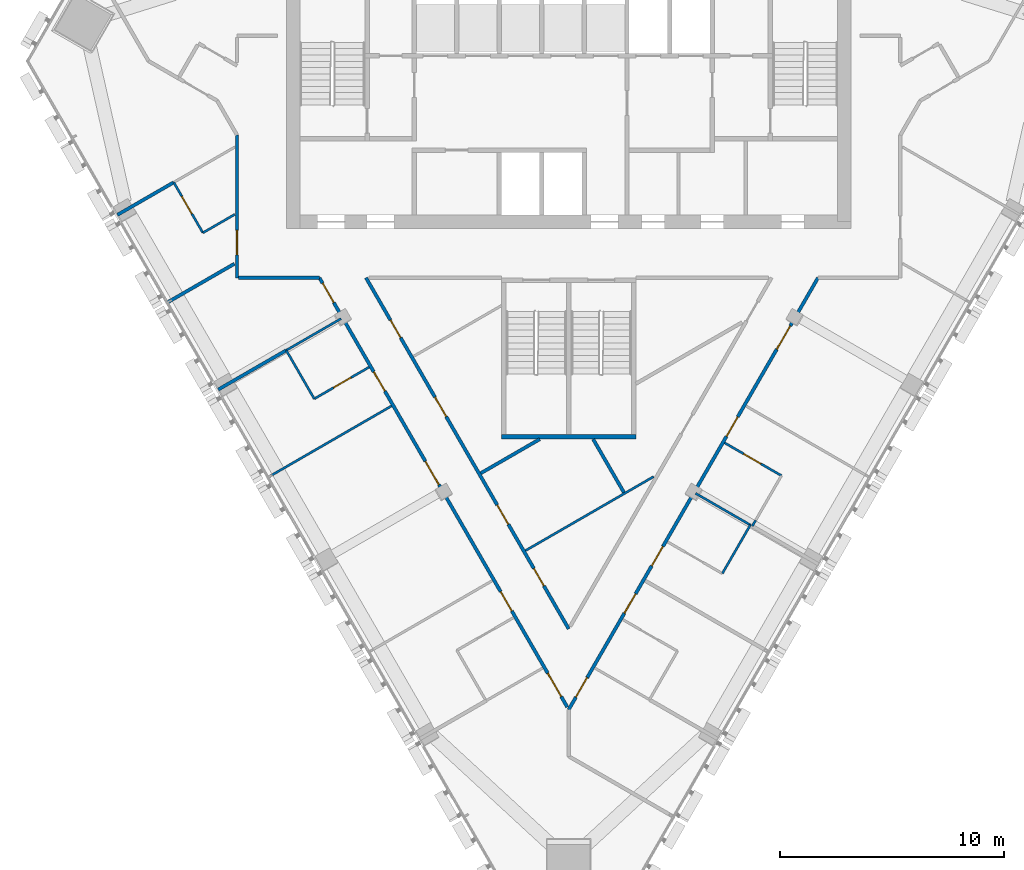
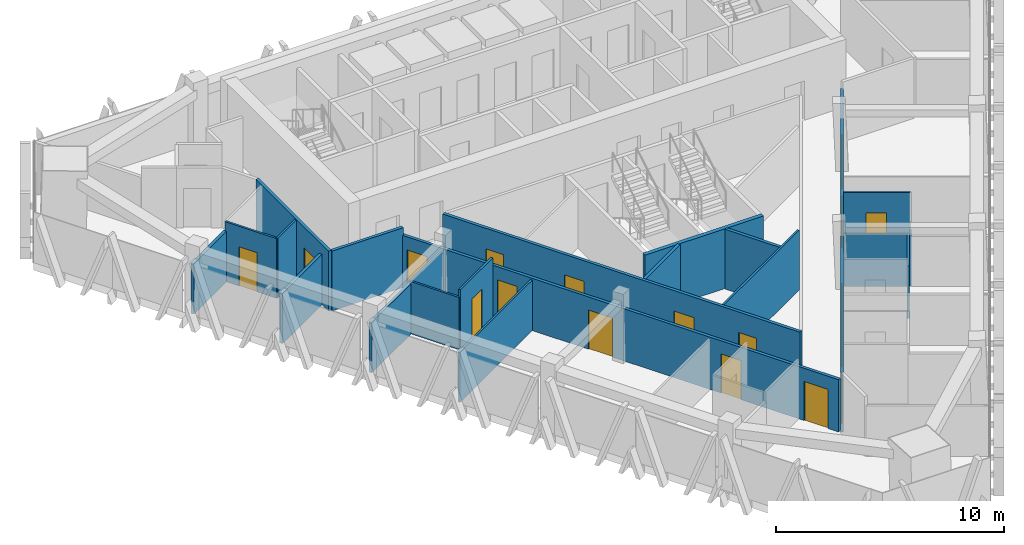
# One storey, part 8 of 14: 22 walls, 18 doors, 18 openings.
"""IFC4 building model written with IfcOpenShell, lengths in metres."""

from ifc_helpers import new_model, si_unit, direction, frame, frame_2d, origin, place, context, subcontext, project, spatial, rectangle, extrude, material, layer, layer_set, type_object, element, fill, save


model = new_model("IFC4")

# Units and contexts
model_context = context("Model", 3, precision=1e-05, world=origin(), true_north=direction((0.0, 1.0)))
body_context = subcontext(model_context, "Body", "Model", "MODEL_VIEW")
ifc_project = project(units=[si_unit("LENGTHUNIT", "METRE"), si_unit("AREAUNIT", "SQUARE_METRE"), si_unit("VOLUMEUNIT", "CUBIC_METRE"), si_unit("PLANEANGLEUNIT", "RADIAN"), si_unit("MASSUNIT", "GRAM", prefix="KILO")], contexts=[model_context])

# Site, building, storey
site_placement = place(None, origin())
site = spatial("IfcSite", under=ifc_project, at=site_placement, CompositionType="ELEMENT")
building_placement = place(site_placement, origin())
building = spatial("IfcBuilding", under=site, at=building_placement, Name="Altiplano Prism Tower", CompositionType="ELEMENT")
storey_placement = place(building_placement, frame((0.0, 0.0, 239.199951171875)))
storey = spatial("IfcBuildingStorey", under=building, at=storey_placement, Name="L61", CompositionType="ELEMENT", Elevation=239.199951171875)

# Wall
ifc_material_1 = material(Name="Plasterboard on steel stud", Category="steel")
ifc_layer_1 = layer(ifc_material_1, 0.10009765625)
ifc_layer_set_1 = layer_set([ifc_layer_1], Name="Plasterboard on steel stud")
wall_type_1 = type_object("IfcWallType", Name="Partition 100 unit", PredefinedType="PARTITIONING", material=ifc_layer_set_1)
wall_1_placement = place(storey_placement, frame((70.10009765625, 93.427978515625, 0.0), z_axis=(0.0, 0.0, 1.0), x_axis=(-0.866059450854, -0.499941024108, 0.0)))
element("IfcWall", 1, at=wall_1_placement, inside=storey, type_object=wall_type_1, Name="Partition P02 L61 031", PredefinedType="PARTITIONING", context=body_context, shape_type="SweptSolid", body=[
    extrude(rectangle(XDim=1.643798828125, YDim=0.10009765625, at=frame_2d((0.82177734375, 0.0))), origin(), (0.0, 0.0, 1.0), 3.199951171875),
])

# Wall, opening, door
wall_2_placement = place(storey_placement, frame((68.676513671875, 92.606201171875, 0.0), z_axis=(0.0, 0.0, 1.0), x_axis=(-0.500006934395, 0.866021400173, 0.0)))
wall_2 = element("IfcWall", 2, at=wall_2_placement, inside=storey, type_object=wall_type_1, Name="Partition P02 L61 032", PredefinedType="PARTITIONING", context=body_context, shape_type="SweptSolid", body=[
    extrude(rectangle(XDim=2.60009765625, YDim=0.10009765625, at=frame_2d((1.300048828125, 0.0))), origin(), (0.0, 0.0, 1.0), 3.199951171875),
])
opening_1_placement = place(wall_2_placement, frame((0.97998046875, 0.0, 0.0)))
opening_1 = element("IfcOpeningElement", 3, at=opening_1_placement, cuts=wall_2, Name="Opening D1997", PredefinedType="OPENING", context=body_context, shape_type="SweptSolid", body=[
    extrude(rectangle(XDim=0.89990234375, YDim=2.10009765625, at=frame_2d((0.449951171875, 1.050048828125))), frame((0.0, 0.060546875, 0.0), z_axis=(0.0, -1.0, 0.0), x_axis=(1.0, 0.0, 0.0)), (0.0, 0.0, 1.0), 0.12109375),
])
ifc_material_2 = material(Name="Timber", Category="wood")
door_type_1 = type_object("IfcDoorType", Name="Accessible ensuite door 900 x 2100", OperationType="NOTDEFINED", PredefinedType="NOTDEFINED", material=ifc_material_2)
door_1_placement = place(opening_1_placement, origin())
door_1 = element("IfcDoor", 4, at=door_1_placement, inside=storey, type_object=door_type_1, Name="Door D1997", OperationType="SINGLE_SWING_LEFT", OverallHeight=2.10009765625, OverallWidth=0.89990234375, PredefinedType="NOTDEFINED", context=body_context, shape_type="SweptSolid", body=[
    extrude(rectangle(XDim=0.89990234375, YDim=2.10009765625, at=frame_2d((0.449951171875, 1.050048828125))), frame((0.0, 0.02490234375, 0.0), z_axis=(0.0, -1.0, 0.0), x_axis=(1.0, 0.0, 0.0)), (0.0, 0.0, 1.0), 0.050048828125),
])
fill(opening_1, door_1)

wall_3_placement = place(storey_placement, frame((76.092529296875, 86.611083984375, 0.0), z_axis=(0.0, 0.0, 1.0), x_axis=(-0.866011447264, -0.500024172624, 0.0)))
wall_3 = element("IfcWall", 5, at=wall_3_placement, inside=storey, type_object=wall_type_1, Name="Partition P02 L61 036", PredefinedType="PARTITIONING", context=body_context, shape_type="SweptSolid", body=[
    extrude(rectangle(XDim=2.824951171875, YDim=0.10009765625, at=frame_2d((1.41259765625, 0.0))), origin(), (0.0, 0.0, 1.0), 3.199951171875),
])
opening_2_placement = place(wall_3_placement, frame((0.925048828125, 0.0, 0.0)))
opening_2 = element("IfcOpeningElement", 6, at=opening_2_placement, cuts=wall_3, Name="Opening D2000", PredefinedType="OPENING", context=body_context, shape_type="SweptSolid", body=[
    extrude(rectangle(XDim=0.89990234375, YDim=2.10009765625, at=frame_2d((0.449951171875, 1.050048828125))), frame((0.0, 0.060546875, 0.0), z_axis=(0.0, -1.0, 0.0), x_axis=(1.0, 0.0, 0.0)), (0.0, 0.0, 1.0), 0.12109375),
])
door_type_2 = type_object("IfcDoorType", Name="Ensuite door 900 x 2100", OperationType="NOTDEFINED", PredefinedType="NOTDEFINED", material=ifc_material_2)
door_2_placement = place(opening_2_placement, origin())
door_2 = element("IfcDoor", 7, at=door_2_placement, inside=storey, type_object=door_type_2, Name="Door D2000", OperationType="SINGLE_SWING_RIGHT", OverallHeight=2.10009765625, OverallWidth=0.89990234375, PredefinedType="NOTDEFINED", context=body_context, shape_type="SweptSolid", body=[
    extrude(rectangle(XDim=0.89990234375, YDim=2.10009765625, at=frame_2d((0.449951171875, 1.050048828125))), frame((0.0, 0.02490234375, 0.0), z_axis=(0.0, -1.0, 0.0), x_axis=(1.0, 0.0, 0.0)), (0.0, 0.0, 1.0), 0.050048828125),
])
fill(opening_2, door_2)

# Walls
for number, where, z_axis, x_axis, name in (
    (8, (73.64599609375, 85.198486328125, 0.0), (0.0, 0.0, 1.0), (-0.500004234368, 0.866022959057, 0.0), "Partition P02 L61 037"),
    (9, (93.10400390625, 79.5693359375, 0.0), (0.0, 0.0, 1.0), (-0.500004234368, -0.866022959057, 0.0), "Partition P02 L61 051"),
):
    element("IfcWall", number, at=place(storey_placement, frame(where, z_axis=z_axis, x_axis=x_axis)), inside=storey, type_object=wall_type_1, Name=name, PredefinedType="PARTITIONING", context=body_context, shape_type="SweptSolid", body=[
        extrude(rectangle(XDim=2.5, YDim=0.10009765625, at=frame_2d((1.25, 0.0))), origin(), (0.0, 0.0, 1.0), 2.800048828125),
    ])

# Wall, opening, door
wall_4_placement = place(storey_placement, frame((91.957275390625, 83.233642578125, 0.0), z_axis=(0.0, 0.0, 1.0), x_axis=(0.86601045545, -0.500025890382, 0.0)))
wall_4 = element("IfcWall", 10, at=wall_4_placement, inside=storey, type_object=wall_type_1, Name="Partition P02 L61 055", PredefinedType="PARTITIONING", context=body_context, shape_type="SweptSolid", body=[
    extrude(rectangle(XDim=2.925048828125, YDim=0.10009765625, at=frame_2d((1.46240234375, 0.0))), origin(), (0.0, 0.0, 1.0), 3.199951171875),
])
opening_3_placement = place(wall_4_placement, frame((0.97509765625, 0.0, 0.0)))
opening_3 = element("IfcOpeningElement", 11, at=opening_3_placement, cuts=wall_4, Name="Opening D2011", PredefinedType="OPENING", context=body_context, shape_type="SweptSolid", body=[
    extrude(rectangle(XDim=0.89990234375, YDim=2.10009765625, at=frame_2d((0.449951171875, 1.050048828125))), frame((0.0, 0.060546875, 0.0), z_axis=(0.0, -1.0, 0.0), x_axis=(1.0, 0.0, 0.0)), (0.0, 0.0, 1.0), 0.12109375),
])
door_3_placement = place(opening_3_placement, origin())
door_3 = element("IfcDoor", 12, at=door_3_placement, inside=storey, type_object=door_type_2, Name="Door D2011", OperationType="SINGLE_SWING_RIGHT", OverallHeight=2.10009765625, OverallWidth=0.89990234375, PredefinedType="NOTDEFINED", context=body_context, shape_type="SweptSolid", body=[
    extrude(rectangle(XDim=0.89990234375, YDim=2.10009765625, at=frame_2d((0.449951171875, 1.050048828125))), frame((0.0, 0.02490234375, 0.0), z_axis=(0.0, -1.0, 0.0), x_axis=(1.0, 0.0, 0.0)), (0.0, 0.0, 1.0), 0.050048828125),
])
fill(opening_3, door_3)

# Walls
wall_5_placement = place(storey_placement, frame((93.340576171875, 79.779296875, 0.0), z_axis=(0.0, 0.0, 1.0), x_axis=(-0.500074377092, -0.865982457891, 0.0)))
element("IfcWall", 13, at=wall_5_placement, inside=storey, type_object=wall_type_1, Name="Partition P02 L61 057", PredefinedType="PARTITIONING", context=body_context, shape_type="SweptSolid", body=[
    extrude(rectangle(XDim=0.30029296875, YDim=0.10009765625, at=frame_2d((0.150146484375, 0.0))), origin(), (0.0, 0.0, 1.0), 2.800048828125),
])
ifc_layer_2 = layer(ifc_material_1, 0.10009765625)
ifc_layer_set_2 = layer_set([ifc_layer_2], Name="Plasterboard on steel stud")
wall_type_2 = type_object("IfcWallType", Name="Partition 100 wet", PredefinedType="PARTITIONING", material=ifc_layer_set_2)
wall_6_placement = place(storey_placement, frame((88.78466796875, 81.724853515625, 0.0), z_axis=(0.0, 0.0, 1.0), x_axis=(-0.866026008586, -0.499998952451, 0.0)))
element("IfcWall", 14, at=wall_6_placement, inside=storey, type_object=wall_type_2, Name="Partition P03 L61 024", PredefinedType="PARTITIONING", context=body_context, shape_type="SweptSolid", body=[
    extrude(rectangle(XDim=6.5986328125, YDim=0.10009765625, at=frame_2d((3.29931640625, 0.0))), origin(), (0.0, 0.0, 1.0), 3.199951171875),
])
wall_7_placement = place(storey_placement, frame((72.39599609375, 87.363525390625, 0.0), z_axis=(0.0, 0.0, 1.0), x_axis=(0.866011447264, 0.500024172624, 0.0)))
element("IfcWall", 15, at=wall_7_placement, inside=storey, type_object=wall_type_2, Name="Partition P03 L61 035", PredefinedType="PARTITIONING", context=body_context, shape_type="SweptSolid", body=[
    extrude(rectangle(XDim=2.824951171875, YDim=0.10009765625, at=frame_2d((1.41259765625, 0.0))), origin(), (0.0, 0.0, 1.0), 2.800048828125),
])
wall_8_placement = place(storey_placement, frame((71.597412109375, 81.706298828125, 0.0), z_axis=(0.0, 0.0, 1.0), x_axis=(0.866025401434, 0.500000004071, 0.0)))
element("IfcWall", 16, at=wall_8_placement, inside=storey, type_object=wall_type_2, Name="Partition P03 L61 038", PredefinedType="PARTITIONING", context=body_context, shape_type="SweptSolid", body=[
    extrude(rectangle(XDim=6.34521484375, YDim=0.10009765625, at=frame_2d((3.172607421875, 0.0))), origin(), (0.0, 0.0, 1.0), 2.699951171875),
])
wall_9_placement = place(storey_placement, frame((93.121337890625, 79.559326171875, 0.0), z_axis=(0.0, 0.0, 1.0), x_axis=(-0.866011243319, 0.500024525844, 0.0)))
element("IfcWall", 17, at=wall_9_placement, inside=storey, type_object=wall_type_2, Name="Partition P03 L61 054", PredefinedType="PARTITIONING", context=body_context, shape_type="SweptSolid", body=[
    extrude(rectangle(XDim=2.844970703125, YDim=0.10009765625, at=frame_2d((1.42236328125, 0.0))), origin(), (0.0, 0.0, 1.0), 2.800048828125),
])

# Wall, openings, doors
ifc_layer_3 = layer(ifc_material_1, 0.14990234375)
ifc_layer_set_3 = layer_set([ifc_layer_3], Name="Plasterboard on steel stud")
wall_type_3 = type_object("IfcWallType", Name="Partition 150 corridor", PredefinedType="PARTITIONING", material=ifc_layer_set_3)
wall_10_placement = place(storey_placement, frame((85.0, 74.93310546875, 0.0), z_axis=(0.0, 0.0, 1.0), x_axis=(-0.500002819098, 0.866023776171, 0.0)))
wall_10 = element("IfcWall", 18, at=wall_10_placement, inside=storey, type_object=wall_type_3, Name="Partition P06 L61 003", PredefinedType="PARTITIONING", context=body_context, shape_type="SweptSolid", body=[
    extrude(rectangle(XDim=18.0908203125, YDim=0.14990234375, at=frame_2d((9.04541015625, 0.0))), origin(), (0.0, 0.0, 1.0), 3.199951171875),
])
opening_4_placement = place(wall_10_placement, frame((15.010009765625, 0.0, 0.0)))
opening_4 = element("IfcOpeningElement", 19, at=opening_4_placement, cuts=wall_10, Name="Opening D1991", PredefinedType="OPENING", context=body_context, shape_type="SweptSolid", body=[
    extrude(rectangle(XDim=0.89990234375, YDim=2.10009765625, at=frame_2d((0.449951171875, 1.050048828125))), frame((0.0, 0.08544921875, 0.0), z_axis=(0.0, -1.0, 0.0), x_axis=(1.0, 0.0, 0.0)), (0.0, 0.0, 1.0), 0.1708984375),
])
opening_5_placement = place(wall_10_placement, frame((2.2099609375, 0.0, 0.0)))
opening_5 = element("IfcOpeningElement", 20, at=opening_5_placement, cuts=wall_10, Name="Opening D1992", PredefinedType="OPENING", context=body_context, shape_type="SweptSolid", body=[
    extrude(rectangle(XDim=0.89990234375, YDim=2.10009765625, at=frame_2d((0.449951171875, 1.050048828125))), frame((0.0, 0.08544921875, 0.0), z_axis=(0.0, -1.0, 0.0), x_axis=(1.0, 0.0, 0.0)), (0.0, 0.0, 1.0), 0.1708984375),
])
opening_6_placement = place(wall_10_placement, frame((5.383056640625, 0.0, 0.0)))
opening_6 = element("IfcOpeningElement", 21, at=opening_6_placement, cuts=wall_10, Name="Opening D2017", PredefinedType="OPENING", context=body_context, shape_type="SweptSolid", body=[
    extrude(rectangle(XDim=1.0, YDim=2.10009765625, at=frame_2d((0.5, 1.050048828125))), frame((0.0, 0.08544921875, 0.0), z_axis=(0.0, -1.0, 0.0), x_axis=(1.0, 0.0, 0.0)), (0.0, 0.0, 1.0), 0.1708984375),
])
opening_7_placement = place(wall_10_placement, frame((10.93505859375, 0.0, 0.0)))
opening_7 = element("IfcOpeningElement", 22, at=opening_7_placement, cuts=wall_10, Name="Opening D2018", PredefinedType="OPENING", context=body_context, shape_type="SweptSolid", body=[
    extrude(rectangle(XDim=1.0, YDim=2.10009765625, at=frame_2d((0.5, 1.050048828125))), frame((0.0, 0.08544921875, 0.0), z_axis=(0.0, -1.0, 0.0), x_axis=(1.0, 0.0, 0.0)), (0.0, 0.0, 1.0), 0.1708984375),
])
door_type_3 = type_object("IfcDoorType", Name="Room door 1000 x 2100", OperationType="NOTDEFINED", PredefinedType="NOTDEFINED", material=ifc_material_2)
door_4_placement = place(opening_6_placement, origin())
door_4 = element("IfcDoor", 23, at=door_4_placement, inside=storey, type_object=door_type_3, Name="Door D2017", OperationType="SINGLE_SWING_RIGHT", OverallHeight=2.10009765625, OverallWidth=1.0, PredefinedType="NOTDEFINED", context=body_context, shape_type="SweptSolid", body=[
    extrude(rectangle(XDim=1.0, YDim=2.10009765625, at=frame_2d((0.5, 1.050048828125))), frame((0.0, 0.02490234375, 0.0), z_axis=(0.0, -1.0, 0.0), x_axis=(1.0, 0.0, 0.0)), (0.0, 0.0, 1.0), 0.050048828125),
])
fill(opening_6, door_4)
door_5_placement = place(opening_7_placement, origin())
door_5 = element("IfcDoor", 24, at=door_5_placement, inside=storey, type_object=door_type_3, Name="Door D2018", OperationType="SINGLE_SWING_RIGHT", OverallHeight=2.10009765625, OverallWidth=1.0, PredefinedType="NOTDEFINED", context=body_context, shape_type="SweptSolid", body=[
    extrude(rectangle(XDim=1.0, YDim=2.10009765625, at=frame_2d((0.5, 1.050048828125))), frame((0.0, 0.02490234375, 0.0), z_axis=(0.0, -1.0, 0.0), x_axis=(1.0, 0.0, 0.0)), (0.0, 0.0, 1.0), 0.050048828125),
])
fill(opening_7, door_5)
door_type_4 = type_object("IfcDoorType", Name="Toilet door 900 x 2100", OperationType="NOTDEFINED", PredefinedType="NOTDEFINED", material=ifc_material_2)
door_6_placement = place(opening_4_placement, origin())
door_6 = element("IfcDoor", 25, at=door_6_placement, inside=storey, type_object=door_type_4, Name="Door D1991", OperationType="SINGLE_SWING_RIGHT", OverallHeight=2.10009765625, OverallWidth=0.89990234375, PredefinedType="NOTDEFINED", context=body_context, shape_type="SweptSolid", body=[
    extrude(rectangle(XDim=0.89990234375, YDim=2.10009765625, at=frame_2d((0.449951171875, 1.050048828125))), frame((0.0, 0.02490234375, 0.0), z_axis=(0.0, -1.0, 0.0), x_axis=(1.0, 0.0, 0.0)), (0.0, 0.0, 1.0), 0.050048828125),
])
fill(opening_4, door_6)
door_7_placement = place(opening_5_placement, origin())
door_7 = element("IfcDoor", 26, at=door_7_placement, inside=storey, type_object=door_type_4, Name="Door D1992", OperationType="SINGLE_SWING_RIGHT", OverallHeight=2.10009765625, OverallWidth=0.89990234375, PredefinedType="NOTDEFINED", context=body_context, shape_type="SweptSolid", body=[
    extrude(rectangle(XDim=0.89990234375, YDim=2.10009765625, at=frame_2d((0.449951171875, 1.050048828125))), frame((0.0, 0.02490234375, 0.0), z_axis=(0.0, -1.0, 0.0), x_axis=(1.0, 0.0, 0.0)), (0.0, 0.0, 1.0), 0.050048828125),
])
fill(opening_5, door_7)

# Wall, opening, door
wall_11_placement = place(storey_placement, frame((70.199951171875, 96.96728515625, 0.0), z_axis=(0.0, 0.0, 1.0), x_axis=(0.0, -1.0, 0.0)))
wall_11 = element("IfcWall", 27, at=wall_11_placement, inside=storey, type_object=wall_type_3, Name="Partition P06 L61 007", PredefinedType="PARTITIONING", context=body_context, shape_type="SweptSolid", body=[
    extrude(rectangle(XDim=6.3671875, YDim=0.14990234375, at=frame_2d((3.18359375, 0.0))), origin(), (0.0, 0.0, 1.0), 3.199951171875),
])
opening_8_placement = place(wall_11_placement, frame((4.248046875, 0.0, 0.0)))
opening_8 = element("IfcOpeningElement", 28, at=opening_8_placement, cuts=wall_11, Name="Opening D1996", PredefinedType="OPENING", context=body_context, shape_type="SweptSolid", body=[
    extrude(rectangle(XDim=1.10009765625, YDim=2.10009765625, at=frame_2d((0.550048828125, 1.050048828125))), frame((0.0, 0.08544921875, 0.0), z_axis=(0.0, -1.0, 0.0), x_axis=(1.0, 0.0, 0.0)), (0.0, 0.0, 1.0), 0.1708984375),
])
door_type_5 = type_object("IfcDoorType", Name="Accessible bedroom door 1100 x 2100", OperationType="NOTDEFINED", PredefinedType="NOTDEFINED", material=ifc_material_2)
door_8_placement = place(opening_8_placement, origin())
door_8 = element("IfcDoor", 29, at=door_8_placement, inside=storey, type_object=door_type_5, Name="Door D1996", OperationType="SINGLE_SWING_RIGHT", OverallHeight=2.10009765625, OverallWidth=1.10009765625, PredefinedType="NOTDEFINED", context=body_context, shape_type="SweptSolid", body=[
    extrude(rectangle(XDim=1.10009765625, YDim=2.10009765625, at=frame_2d((0.550048828125, 1.050048828125))), frame((0.0, 0.02490234375, 0.0), z_axis=(0.0, -1.0, 0.0), x_axis=(1.0, 0.0, 0.0)), (0.0, 0.0, 1.0), 0.050048828125),
])
fill(opening_8, door_8)

# Wall
wall_12_placement = place(storey_placement, frame((70.27490234375, 90.60009765625, 0.0), z_axis=(0.0, 0.0, 1.0), x_axis=(1.0, 0.0, 0.0)))
element("IfcWall", 30, at=wall_12_placement, inside=storey, type_object=wall_type_3, Name="Partition P06 L61 008", PredefinedType="PARTITIONING", context=body_context, shape_type="SweptSolid", body=[
    extrude(rectangle(XDim=3.601318359375, YDim=0.14990234375, at=frame_2d((1.80078125, 0.0))), origin(), (0.0, 0.0, 1.0), 3.199951171875),
])

# Wall, openings, doors
wall_13_placement = place(storey_placement, frame((73.876220703125, 90.60009765625, 0.0), z_axis=(0.0, 0.0, 1.0), x_axis=(0.499998592047, -0.866026216665, 0.0)))
wall_13 = element("IfcWall", 31, at=wall_13_placement, inside=storey, type_object=wall_type_3, Name="Partition P06 L61 009", PredefinedType="PARTITIONING", context=body_context, shape_type="SweptSolid", body=[
    extrude(rectangle(XDim=22.11767578125, YDim=0.14990234375, at=frame_2d((11.058837890625, 0.0))), origin(), (0.0, 0.0, 1.0), 2.800048828125),
])
opening_9_placement = place(wall_13_placement, frame((0.280029296875, 0.0, 0.0)))
opening_9 = element("IfcOpeningElement", 32, at=opening_9_placement, cuts=wall_13, Name="Opening D1998", PredefinedType="OPENING", context=body_context, shape_type="SweptSolid", body=[
    extrude(rectangle(XDim=1.0, YDim=2.10009765625, at=frame_2d((0.5, 1.050048828125))), frame((0.0, 0.08544921875, 0.0), z_axis=(0.0, -1.0, 0.0), x_axis=(1.0, 0.0, 0.0)), (0.0, 0.0, 1.0), 0.1708984375),
])
opening_10_placement = place(wall_13_placement, frame((4.842041015625, 0.0, 0.0)))
opening_10 = element("IfcOpeningElement", 33, at=opening_10_placement, cuts=wall_13, Name="Opening D1999", PredefinedType="OPENING", context=body_context, shape_type="SweptSolid", body=[
    extrude(rectangle(XDim=1.0, YDim=2.10009765625, at=frame_2d((0.5, 1.050048828125))), frame((0.0, 0.08544921875, 0.0), z_axis=(0.0, -1.0, 0.0), x_axis=(1.0, 0.0, 0.0)), (0.0, 0.0, 1.0), 0.1708984375),
])
opening_11_placement = place(wall_13_placement, frame((9.462890625, 0.0, 0.0)))
opening_11 = element("IfcOpeningElement", 34, at=opening_11_placement, cuts=wall_13, Name="Opening D2001", PredefinedType="OPENING", context=body_context, shape_type="SweptSolid", body=[
    extrude(rectangle(XDim=1.199951171875, YDim=2.10009765625, at=frame_2d((0.60009765625, 1.050048828125))), frame((0.0, 0.08544921875, 0.0), z_axis=(0.0, -1.0, 0.0), x_axis=(1.0, 0.0, 0.0)), (0.0, 0.0, 1.0), 0.1708984375),
])
opening_12_placement = place(wall_13_placement, frame((16.1669921875, 0.0, 0.0)))
opening_12 = element("IfcOpeningElement", 35, at=opening_12_placement, cuts=wall_13, Name="Opening D2002", PredefinedType="OPENING", context=body_context, shape_type="SweptSolid", body=[
    extrude(rectangle(XDim=1.0, YDim=2.10009765625, at=frame_2d((0.5, 1.050048828125))), frame((0.0, 0.08544921875, 0.0), z_axis=(0.0, -1.0, 0.0), x_axis=(1.0, 0.0, 0.0)), (0.0, 0.0, 1.0), 0.1708984375),
])
opening_13_placement = place(wall_13_placement, frame((20.3759765625, 0.0, 0.0)))
opening_13 = element("IfcOpeningElement", 36, at=opening_13_placement, cuts=wall_13, Name="Opening D2004", PredefinedType="OPENING", context=body_context, shape_type="SweptSolid", body=[
    extrude(rectangle(XDim=1.199951171875, YDim=2.10009765625, at=frame_2d((0.60009765625, 1.050048828125))), frame((0.0, 0.08544921875, 0.0), z_axis=(0.0, -1.0, 0.0), x_axis=(1.0, 0.0, 0.0)), (0.0, 0.0, 1.0), 0.1708984375),
])
door_type_6 = type_object("IfcDoorType", Name="Bedroom entrance door 1000 x 2100", OperationType="NOTDEFINED", PredefinedType="NOTDEFINED", material=ifc_material_2)
door_9_placement = place(opening_10_placement, origin())
door_9 = element("IfcDoor", 37, at=door_9_placement, inside=storey, type_object=door_type_6, Name="Door D1999", OperationType="SINGLE_SWING_LEFT", OverallHeight=2.10009765625, OverallWidth=1.0, PredefinedType="NOTDEFINED", context=body_context, shape_type="SweptSolid", body=[
    extrude(rectangle(XDim=1.0, YDim=2.10009765625, at=frame_2d((0.5, 1.050048828125))), frame((0.0, 0.02490234375, 0.0), z_axis=(0.0, -1.0, 0.0), x_axis=(1.0, 0.0, 0.0)), (0.0, 0.0, 1.0), 0.050048828125),
])
fill(opening_10, door_9)
door_10_placement = place(opening_12_placement, origin())
door_10 = element("IfcDoor", 38, at=door_10_placement, inside=storey, type_object=door_type_6, Name="Door D2002", OperationType="SINGLE_SWING_RIGHT", OverallHeight=2.10009765625, OverallWidth=1.0, PredefinedType="NOTDEFINED", context=body_context, shape_type="SweptSolid", body=[
    extrude(rectangle(XDim=1.0, YDim=2.10009765625, at=frame_2d((0.5, 1.050048828125))), frame((0.0, 0.02490234375, 0.0), z_axis=(0.0, -1.0, 0.0), x_axis=(1.0, 0.0, 0.0)), (0.0, 0.0, 1.0), 0.050048828125),
])
fill(opening_12, door_10)
door_11_placement = place(opening_9_placement, origin())
door_11 = element("IfcDoor", 39, at=door_11_placement, inside=storey, type_object=door_type_3, Name="Door D1998", OperationType="SINGLE_SWING_LEFT", OverallHeight=2.10009765625, OverallWidth=1.0, PredefinedType="NOTDEFINED", context=body_context, shape_type="SweptSolid", body=[
    extrude(rectangle(XDim=1.0, YDim=2.10009765625, at=frame_2d((0.5, 1.050048828125))), frame((0.0, 0.02490234375, 0.0), z_axis=(0.0, -1.0, 0.0), x_axis=(1.0, 0.0, 0.0)), (0.0, 0.0, 1.0), 0.050048828125),
])
fill(opening_9, door_11)
door_type_7 = type_object("IfcDoorType", Name="Shared room door 1200 x 2100", OperationType="NOTDEFINED", PredefinedType="NOTDEFINED", material=ifc_material_2)
door_12_placement = place(opening_11_placement, origin())
door_12 = element("IfcDoor", 40, at=door_12_placement, inside=storey, type_object=door_type_7, Name="Door D2001", OperationType="SINGLE_SWING_LEFT", OverallHeight=2.10009765625, OverallWidth=1.199951171875, PredefinedType="NOTDEFINED", context=body_context, shape_type="SweptSolid", body=[
    extrude(rectangle(XDim=1.199951171875, YDim=2.10009765625, at=frame_2d((0.60009765625, 1.050048828125))), frame((0.0, 0.02490234375, 0.0), z_axis=(0.0, -1.0, 0.0), x_axis=(1.0, 0.0, 0.0)), (0.0, 0.0, 1.0), 0.050048828125),
])
fill(opening_11, door_12)
door_13_placement = place(opening_13_placement, origin())
door_13 = element("IfcDoor", 41, at=door_13_placement, inside=storey, type_object=door_type_7, Name="Door D2004", OperationType="SINGLE_SWING_RIGHT", OverallHeight=2.10009765625, OverallWidth=1.199951171875, PredefinedType="NOTDEFINED", context=body_context, shape_type="SweptSolid", body=[
    extrude(rectangle(XDim=1.199951171875, YDim=2.10009765625, at=frame_2d((0.60009765625, 1.050048828125))), frame((0.0, 0.02490234375, 0.0), z_axis=(0.0, -1.0, 0.0), x_axis=(1.0, 0.0, 0.0)), (0.0, 0.0, 1.0), 0.050048828125),
])
fill(opening_13, door_13)

wall_14_placement = place(storey_placement, frame((85.0, 71.3330078125, 0.0), z_axis=(0.0, 0.0, 1.0), x_axis=(0.499997295977, 0.866026964947, 0.0)))
wall_14 = element("IfcWall", 42, at=wall_14_placement, inside=storey, type_object=wall_type_3, Name="Partition P06 L61 010", PredefinedType="PARTITIONING", context=body_context, shape_type="SweptSolid", body=[
    extrude(rectangle(XDim=22.24755859375, YDim=0.14990234375, at=frame_2d((11.123779296875, 0.0))), origin(), (0.0, 0.0, 1.0), 2.800048828125),
])
opening_14_placement = place(wall_14_placement, frame((0.64208984375, 0.0, 0.0)))
opening_14 = element("IfcOpeningElement", 43, at=opening_14_placement, cuts=wall_14, Name="Opening D2005", PredefinedType="OPENING", context=body_context, shape_type="SweptSolid", body=[
    extrude(rectangle(XDim=1.0, YDim=2.10009765625, at=frame_2d((0.5, 1.050048828125))), frame((0.0, 0.08544921875, 0.0), z_axis=(0.0, -1.0, 0.0), x_axis=(1.0, 0.0, 0.0)), (0.0, 0.0, 1.0), 0.1708984375),
])
opening_15_placement = place(wall_14_placement, frame((4.964111328125, 0.0, 0.0)))
opening_15 = element("IfcOpeningElement", 44, at=opening_15_placement, cuts=wall_14, Name="Opening D2006", PredefinedType="OPENING", context=body_context, shape_type="SweptSolid", body=[
    extrude(rectangle(XDim=1.0, YDim=2.10009765625, at=frame_2d((0.5, 1.050048828125))), frame((0.0, 0.08544921875, 0.0), z_axis=(0.0, -1.0, 0.0), x_axis=(1.0, 0.0, 0.0)), (0.0, 0.0, 1.0), 0.1708984375),
])
opening_16_placement = place(wall_14_placement, frame((7.405029296875, 0.0, 0.0)))
opening_16 = element("IfcOpeningElement", 45, at=opening_16_placement, cuts=wall_14, Name="Opening D2008", PredefinedType="OPENING", context=body_context, shape_type="SweptSolid", body=[
    extrude(rectangle(XDim=1.0, YDim=2.10009765625, at=frame_2d((0.5, 1.050048828125))), frame((0.0, 0.08544921875, 0.0), z_axis=(0.0, -1.0, 0.0), x_axis=(1.0, 0.0, 0.0)), (0.0, 0.0, 1.0), 0.1708984375),
])
opening_17_placement = place(wall_14_placement, frame((14.080078125, 0.0, 0.0)))
opening_17 = element("IfcOpeningElement", 46, at=opening_17_placement, cuts=wall_14, Name="Opening D2010", PredefinedType="OPENING", context=body_context, shape_type="SweptSolid", body=[
    extrude(rectangle(XDim=1.0, YDim=2.10009765625, at=frame_2d((0.5, 1.050048828125))), frame((0.0, 0.08544921875, 0.0), z_axis=(0.0, -1.0, 0.0), x_axis=(1.0, 0.0, 0.0)), (0.0, 0.0, 1.0), 0.1708984375),
])
opening_18_placement = place(wall_14_placement, frame((18.56494140625, 0.0, 0.0)))
opening_18 = element("IfcOpeningElement", 47, at=opening_18_placement, cuts=wall_14, Name="Opening D2012", PredefinedType="OPENING", context=body_context, shape_type="SweptSolid", body=[
    extrude(rectangle(XDim=1.199951171875, YDim=2.10009765625, at=frame_2d((0.60009765625, 1.050048828125))), frame((0.0, 0.08544921875, 0.0), z_axis=(0.0, -1.0, 0.0), x_axis=(1.0, 0.0, 0.0)), (0.0, 0.0, 1.0), 0.1708984375),
])
door_14_placement = place(opening_15_placement, origin())
door_14 = element("IfcDoor", 48, at=door_14_placement, inside=storey, type_object=door_type_6, Name="Door D2006", OperationType="SINGLE_SWING_LEFT", OverallHeight=2.10009765625, OverallWidth=1.0, PredefinedType="NOTDEFINED", context=body_context, shape_type="SweptSolid", body=[
    extrude(rectangle(XDim=1.0, YDim=2.10009765625, at=frame_2d((0.5, 1.050048828125))), frame((0.0, 0.02490234375, 0.0), z_axis=(0.0, -1.0, 0.0), x_axis=(1.0, 0.0, 0.0)), (0.0, 0.0, 1.0), 0.050048828125),
])
fill(opening_15, door_14)
door_15_placement = place(opening_16_placement, origin())
door_15 = element("IfcDoor", 49, at=door_15_placement, inside=storey, type_object=door_type_6, Name="Door D2008", OperationType="SINGLE_SWING_LEFT", OverallHeight=2.10009765625, OverallWidth=1.0, PredefinedType="NOTDEFINED", context=body_context, shape_type="SweptSolid", body=[
    extrude(rectangle(XDim=1.0, YDim=2.10009765625, at=frame_2d((0.5, 1.050048828125))), frame((0.0, 0.02490234375, 0.0), z_axis=(0.0, -1.0, 0.0), x_axis=(1.0, 0.0, 0.0)), (0.0, 0.0, 1.0), 0.050048828125),
])
fill(opening_16, door_15)
door_16_placement = place(opening_17_placement, origin())
door_16 = element("IfcDoor", 50, at=door_16_placement, inside=storey, type_object=door_type_6, Name="Door D2010", OperationType="SINGLE_SWING_RIGHT", OverallHeight=2.10009765625, OverallWidth=1.0, PredefinedType="NOTDEFINED", context=body_context, shape_type="SweptSolid", body=[
    extrude(rectangle(XDim=1.0, YDim=2.10009765625, at=frame_2d((0.5, 1.050048828125))), frame((0.0, 0.02490234375, 0.0), z_axis=(0.0, -1.0, 0.0), x_axis=(1.0, 0.0, 0.0)), (0.0, 0.0, 1.0), 0.050048828125),
])
fill(opening_17, door_16)
door_17_placement = place(opening_14_placement, origin())
door_17 = element("IfcDoor", 51, at=door_17_placement, inside=storey, type_object=door_type_3, Name="Door D2005", OperationType="SINGLE_SWING_RIGHT", OverallHeight=2.10009765625, OverallWidth=1.0, PredefinedType="NOTDEFINED", context=body_context, shape_type="SweptSolid", body=[
    extrude(rectangle(XDim=1.0, YDim=2.10009765625, at=frame_2d((0.5, 1.050048828125))), frame((0.0, 0.02490234375, 0.0), z_axis=(0.0, -1.0, 0.0), x_axis=(1.0, 0.0, 0.0)), (0.0, 0.0, 1.0), 0.050048828125),
])
fill(opening_14, door_17)
door_18_placement = place(opening_18_placement, origin())
door_18 = element("IfcDoor", 52, at=door_18_placement, inside=storey, type_object=door_type_7, Name="Door D2012", OperationType="SINGLE_SWING_LEFT", OverallHeight=2.10009765625, OverallWidth=1.199951171875, PredefinedType="NOTDEFINED", context=body_context, shape_type="SweptSolid", body=[
    extrude(rectangle(XDim=1.199951171875, YDim=2.10009765625, at=frame_2d((0.60009765625, 1.050048828125))), frame((0.0, 0.02490234375, 0.0), z_axis=(0.0, -1.0, 0.0), x_axis=(1.0, 0.0, 0.0)), (0.0, 0.0, 1.0), 0.050048828125),
])
fill(opening_18, door_18)

# Walls
ifc_layer_4 = layer(ifc_material_1, 0.14990234375)
ifc_layer_set_4 = layer_set([ifc_layer_4], Name="Plasterboard on steel stud")
wall_type_4 = type_object("IfcWallType", Name="Partition 150 party", PredefinedType="PARTITIONING", material=ifc_layer_set_4)
wall_15_placement = place(storey_placement, frame((86.0888671875, 83.39990234375, 0.0), z_axis=(0.0, 0.0, 1.0), x_axis=(0.50002746344, -0.86600954718, 0.0)))
element("IfcWall", 53, at=wall_15_placement, inside=storey, type_object=wall_type_4, Name="Partition P01 L61 026", PredefinedType="PARTITIONING", context=body_context, shape_type="SweptSolid", body=[
    extrude(rectangle(XDim=2.748291015625, YDim=0.14990234375, at=frame_2d((1.3740234375, 0.0))), origin(), (0.0, 0.0, 1.0), 3.199951171875),
])
wall_16_placement = place(storey_placement, frame((64.864990234375, 93.407958984375, 0.0), z_axis=(0.0, 0.0, 1.0), x_axis=(0.866032775405, 0.499987231761, 0.0)))
element("IfcWall", 54, at=wall_16_placement, inside=storey, type_object=wall_type_4, Name="Partition P01 L61 027", PredefinedType="PARTITIONING", context=body_context, shape_type="SweptSolid", body=[
    extrude(rectangle(XDim=2.89990234375, YDim=0.14990234375, at=frame_2d((1.449951171875, 0.0))), origin(), (0.0, 0.0, 1.0), 2.699951171875),
])
wall_17_placement = place(storey_placement, frame((67.097412109375, 89.500732421875, 0.0), z_axis=(0.0, 0.0, 1.0), x_axis=(0.866050167049, 0.499957106315, 0.0)))
element("IfcWall", 55, at=wall_17_placement, inside=storey, type_object=wall_type_4, Name="Partition P01 L61 033", PredefinedType="PARTITIONING", context=body_context, shape_type="SweptSolid", body=[
    extrude(rectangle(XDim=3.452392578125, YDim=0.14990234375, at=frame_2d((1.72607421875, 0.0))), origin(), (0.0, 0.0, 1.0), 2.699951171875),
])
wall_18_placement = place(storey_placement, frame((69.364990234375, 85.613525390625, 0.0), z_axis=(0.0, 0.0, 1.0), x_axis=(0.866019471182, 0.500010275428, 0.0)))
element("IfcWall", 56, at=wall_18_placement, inside=storey, type_object=wall_type_4, Name="Partition P01 L61 034", PredefinedType="PARTITIONING", context=body_context, shape_type="SweptSolid", body=[
    extrude(rectangle(XDim=3.5, YDim=0.14990234375, at=frame_2d((1.75, 0.0))), origin(), (0.0, 0.0, 1.0), 2.699951171875),
])
wall_19_placement = place(storey_placement, frame((83.71044921875, 83.39990234375, 0.0), z_axis=(0.0, 0.0, 1.0), x_axis=(-0.866046583016, -0.4999633147, 0.0)))
element("IfcWall", 57, at=wall_19_placement, inside=storey, type_object=wall_type_4, Name="Partition P01 L61 063", PredefinedType="PARTITIONING", context=body_context, shape_type="SweptSolid", body=[
    extrude(rectangle(XDim=3.041748046875, YDim=0.14990234375, at=frame_2d((1.52099609375, 0.0))), origin(), (0.0, 0.0, 1.0), 3.199951171875),
])
ifc_material_3 = material(Name="Concrete C60/75", Category="concrete")
ifc_layer_5 = layer(ifc_material_3, 0.199951171875)
ifc_layer_set_5 = layer_set([ifc_layer_5], Name="Concrete C60/75")
wall_type_5 = type_object("IfcWallType", Name="Stair wall 200", PredefinedType="SOLIDWALL", material=ifc_layer_set_5)
wall_20_placement = place(storey_placement, frame((82.0, 83.5, 0.0), z_axis=(0.0, 0.0, 1.0), x_axis=(1.0, 0.0, 0.0)))
element("IfcWall", 58, at=wall_20_placement, inside=storey, type_object=wall_type_5, Name="Stair 3 wall south L61", PredefinedType="SOLIDWALL", context=body_context, shape_type="SweptSolid", body=[
    extrude(rectangle(XDim=6.0, YDim=0.199951171875, at=frame_2d((3.0, 0.0))), origin(), (0.0, 0.0, 1.0), 3.199951171875),
])

save(model, "model.ifc")
